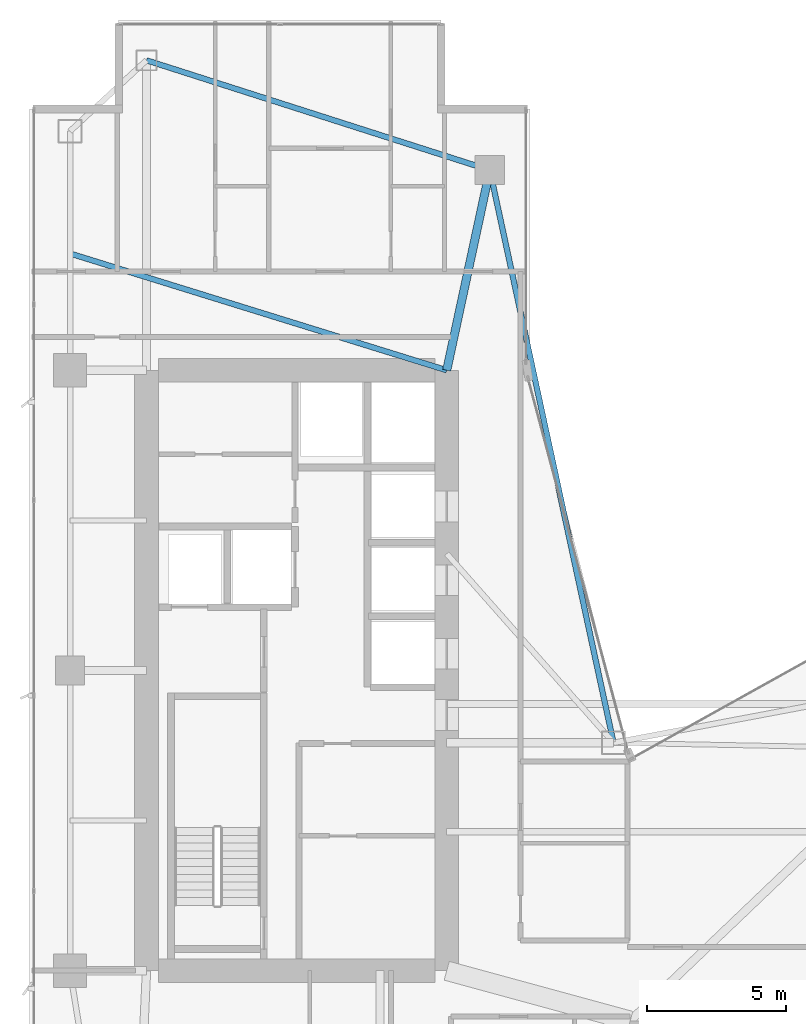
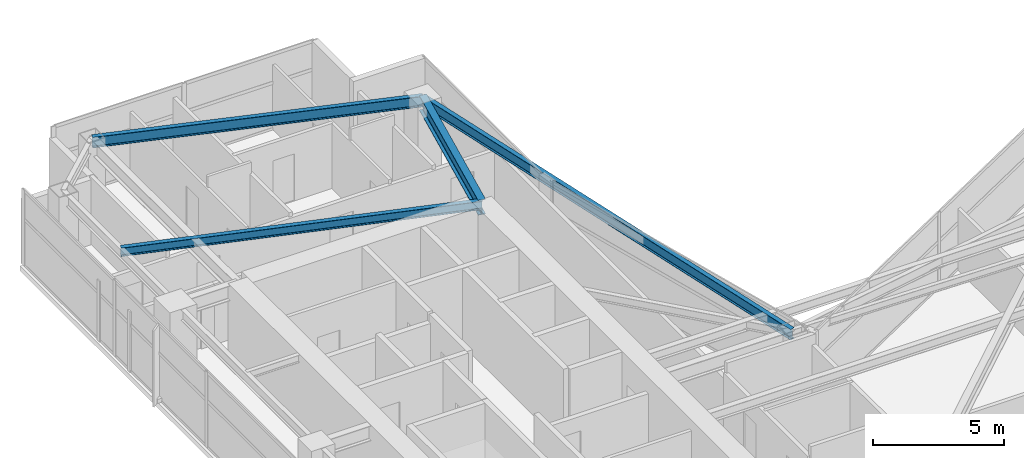
# One storey, part 17 of 28: 4 beams.
"""IFC4 building model written with IfcOpenShell, lengths in metres."""

from ifc_helpers import new_model, si_unit, direction, frame, origin, origin_2d, place, context, subcontext, project, spatial, i_section, extrude, material, material_profile, profile_set, type_object, element, save


model = new_model("IFC4")

# Units and contexts
model_context = context("Model", 3, precision=1e-05, world=origin(), true_north=direction((0.0, 1.0)))
body_context = subcontext(model_context, "Body", "Model", "MODEL_VIEW")
ifc_project = project(units=[si_unit("LENGTHUNIT", "METRE"), si_unit("AREAUNIT", "SQUARE_METRE"), si_unit("VOLUMEUNIT", "CUBIC_METRE"), si_unit("PLANEANGLEUNIT", "RADIAN"), si_unit("MASSUNIT", "GRAM", prefix="KILO")], contexts=[model_context])

# Site, building, storey
site_placement = place(None, origin())
site = spatial("IfcSite", under=ifc_project, at=site_placement, CompositionType="ELEMENT")
building_placement = place(site_placement, origin())
building = spatial("IfcBuilding", under=site, at=building_placement, Name="Calvorn Quay Hotel", CompositionType="ELEMENT")
storey_placement = place(building_placement, frame((0.0, 0.0, 131.60009765625)))
storey = spatial("IfcBuildingStorey", under=building, at=storey_placement, Name="L32", CompositionType="ELEMENT", Elevation=131.60009765625)

# Beams
ifc_material_1 = material(Name="Steel Q390GJC", Category="steel")
ifc_material_profile_1 = material_profile(ifc_material_1, i_section(OverallWidth=0.300048828125, OverallDepth=0.699951171875, WebThickness=0.012939453125, FlangeThickness=0.02392578125, FilletRadius=0.02392578125, at=origin_2d()), Name="HN700x300x13x24")
ifc_profile_set_1 = profile_set([ifc_material_profile_1], Name="Steel Q390GJC")
beam_type_1 = type_object("IfcBeamType", Name="BM-GIRD-MAIN", PredefinedType="BEAM", material=ifc_profile_set_1)
beam_1_placement = place(storey_placement, frame((16.550048828125, 45.60009765625, 3.18994140625), z_axis=(-0.210457140491, -0.97760308511, 0.0), x_axis=(0.97760308511, -0.210457140491, 0.0)))
element("IfcBeam", 1, at=beam_1_placement, inside=storey, type_object=beam_type_1, Name="Beam BG-L32-W6", PredefinedType="BEAM", context=body_context, shape_type="SweptSolid", body=[
    extrude(i_section(OverallWidth=0.300048828125, OverallDepth=0.699951171875, WebThickness=0.012939453125, FlangeThickness=0.02392578125, FilletRadius=0.02392578125, at=origin_2d()), origin(), (0.0, 0.0, 1.0), 7.365234375),
])
ifc_material_2 = material(Name="Steel Q355B", Category="steel")
ifc_material_profile_2 = material_profile(ifc_material_2, i_section(OverallWidth=0.199951171875, OverallDepth=0.39990234375, WebThickness=0.008056640625, FlangeThickness=0.012939453125, FilletRadius=0.01611328125, at=origin_2d()), Name="HN400x200x8x13")
ifc_profile_set_2 = profile_set([ifc_material_profile_2], Name="Steel Q355B")
beam_type_2 = type_object("IfcBeamType", Name="BM-JOIST-TYP", PredefinedType="JOIST", material=ifc_profile_set_2)
beam_2_placement = place(storey_placement, frame((1.449951171875, 42.60009765625, 3.33984375), z_axis=(0.955163702122, -0.296078202759, 0.0), x_axis=(0.296078202759, 0.955163702122, 0.0)))
element("IfcBeam", 2, at=beam_2_placement, inside=storey, type_object=beam_type_2, Name="Beam BJ-L32-W2", PredefinedType="JOIST", context=body_context, shape_type="SweptSolid", body=[
    extrude(i_section(OverallWidth=0.199951171875, OverallDepth=0.39990234375, WebThickness=0.008056640625, FlangeThickness=0.012939453125, FilletRadius=0.01611328125, at=origin_2d()), origin(), (0.0, 0.0, 1.0), 14.18603515625),
])
ifc_material_3 = material(Name="Steel Q355B", Category="steel")
ifc_material_profile_3 = material_profile(ifc_material_3, i_section(OverallWidth=0.199951171875, OverallDepth=0.5, WebThickness=0.010009765625, FlangeThickness=0.01611328125, FilletRadius=0.01611328125, at=origin_2d()), Name="HN500x200x10x16")
ifc_profile_set_3 = profile_set([ifc_material_profile_3], Name="Steel Q355B")
beam_type_3 = type_object("IfcBeamType", Name="BM-SPANDREL-Z1", PredefinedType="SPANDREL", material=ifc_profile_set_3)
beam_3_placement = place(storey_placement, frame((4.199951171875, 49.550048828125, 3.289794921875), z_axis=(0.952470702374, -0.304630203885, 0.0), x_axis=(0.304630203885, 0.952470702374, 0.0)))
element("IfcBeam", 3, at=beam_3_placement, inside=storey, type_object=beam_type_3, Name="Beam BSP-L32-W6", PredefinedType="SPANDREL", context=body_context, shape_type="SweptSolid", body=[
    extrude(i_section(OverallWidth=0.199951171875, OverallDepth=0.5, WebThickness=0.010009765625, FlangeThickness=0.01611328125, FilletRadius=0.01611328125, at=origin_2d()), origin(), (0.0, 0.0, 1.0), 12.96630859375),
])
beam_4_placement = place(storey_placement, frame((16.550048828125, 45.60009765625, 3.289794921875), z_axis=(0.211145848376, -0.977454567084, 0.0), x_axis=(0.977454567084, 0.211145848376, 0.0)))
element("IfcBeam", 4, at=beam_4_placement, inside=storey, type_object=beam_type_3, Name="Beam BSP-L32-W7", PredefinedType="SPANDREL", context=body_context, shape_type="SweptSolid", body=[
    extrude(i_section(OverallWidth=0.199951171875, OverallDepth=0.5, WebThickness=0.010009765625, FlangeThickness=0.01611328125, FilletRadius=0.01611328125, at=origin_2d()), origin(), (0.0, 0.0, 1.0), 21.0751953125),
])

save(model, "model.ifc")
